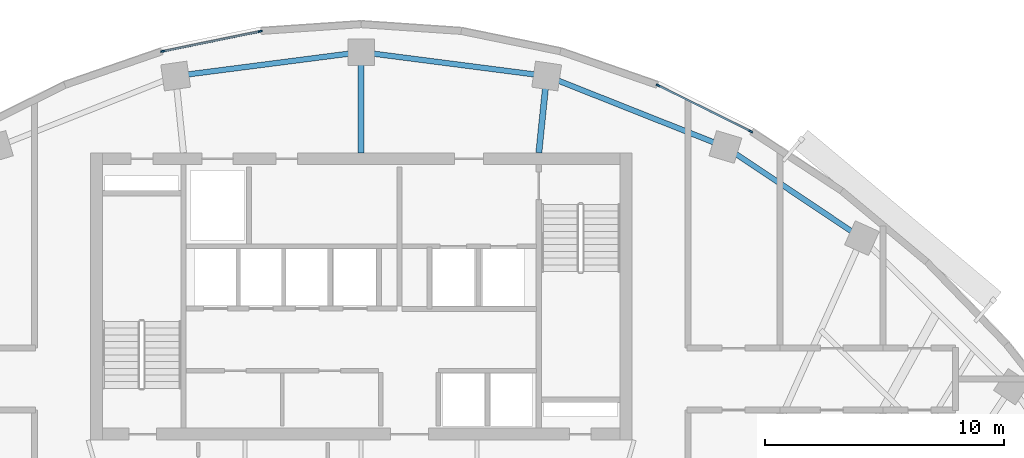
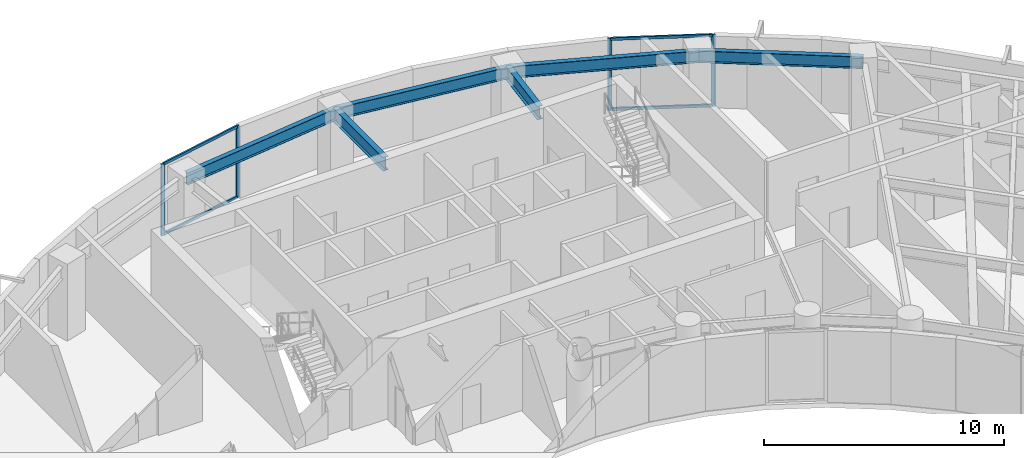
# One storey, part 5 of 13: 8 members, 6 beams, 2 elements without a shape of their own.
"""IFC4 building model written with IfcOpenShell, lengths in metres."""

from ifc_helpers import new_model, si_unit, direction, frame, origin, origin_2d, place, context, subcontext, project, spatial, rectangle, i_section, extrude, source, transform, mapped, material, layer, layer_set, material_profile, profile_set, type_object, element, aggregate, save


model = new_model("IFC4")

# Units and contexts
model_context = context("Model", 3, precision=1e-05, world=origin(), true_north=direction((0.0, 1.0)))
body_context = subcontext(model_context, "Body", "Model", "MODEL_VIEW")
ifc_project = project(units=[si_unit("LENGTHUNIT", "METRE"), si_unit("AREAUNIT", "SQUARE_METRE"), si_unit("VOLUMEUNIT", "CUBIC_METRE"), si_unit("PLANEANGLEUNIT", "RADIAN"), si_unit("MASSUNIT", "GRAM", prefix="KILO")], contexts=[model_context])

# Site, building, storey
site_placement = place(None, origin())
site = spatial("IfcSite", under=ifc_project, at=site_placement, CompositionType="ELEMENT")
building_placement = place(site_placement, origin())
building = spatial("IfcBuilding", under=site, at=building_placement, Name="Breltana Convention Tower", CompositionType="ELEMENT")
storey_placement = place(building_placement, frame((0.0, 0.0, 181.800048828125)))
storey = spatial("IfcBuildingStorey", under=building, at=storey_placement, Name="L44", CompositionType="ELEMENT", Elevation=181.800048828125)

# Beams
ifc_material_1 = material(Name="Steel ASTM A992 Grade 50", Category="steel")
ifc_material_profile_1 = material_profile(ifc_material_1, i_section(OverallWidth=0.25390625, OverallDepth=0.68798828125, WebThickness=0.01318359375, FlangeThickness=0.02099609375, at=origin_2d()), Name="W27X102")
ifc_profile_set_1 = profile_set([ifc_material_profile_1], Name="Steel ASTM A992 Grade 50")
beam_type_1 = type_object("IfcBeamType", Name="BM-RG-W27X102", PredefinedType="USERDEFINED", material=ifc_profile_set_1)
shared_shape_1 = source(origin(), body_context, "Body", "SweptSolid", [
    extrude(i_section(OverallWidth=0.25390625, OverallDepth=0.68798828125, WebThickness=0.01318359375, FlangeThickness=0.02099609375, at=origin_2d()), origin(), (0.0, 0.0, 1.0), 3.220947265625),
])
beam_1_placement = place(storey_placement, frame((55.419921875, 72.199951171875, 3.305908203125), z_axis=(0.101492254858, 0.994836329355, 0.0), x_axis=(-0.994836329355, 0.101492254858, 0.0)))
element("IfcBeam", 1, at=beam_1_placement, inside=storey, type_object=beam_type_1, Name="L44 North Core Radial Girder R07", ObjectType="GIRDER", PredefinedType="USERDEFINED", context=body_context, shape_type="MappedRepresentation", body=[
    mapped(shared_shape_1, transform((0.0, 0.0, 0.0), scale=1.0)),
])
shared_shape_2 = source(origin(), body_context, "Body", "SweptSolid", [
    extrude(i_section(OverallWidth=0.25390625, OverallDepth=0.68798828125, WebThickness=0.01318359375, FlangeThickness=0.02099609375, at=origin_2d()), origin(), (0.0, 0.0, 1.0), 4.2041015625),
])
beam_2_placement = place(storey_placement, frame((48.0, 72.199951171875, 3.305908203125), z_axis=(0.0, 1.0, 0.0), x_axis=(-1.0, 0.0, 0.0)))
element("IfcBeam", 2, at=beam_2_placement, inside=storey, type_object=beam_type_1, Name="L44 North Core Radial Girder R06", ObjectType="GIRDER", PredefinedType="USERDEFINED", context=body_context, shape_type="MappedRepresentation", body=[
    mapped(shared_shape_2, transform((0.0, 0.0, 0.0), scale=1.0)),
])
ifc_material_profile_2 = material_profile(ifc_material_1, i_section(OverallWidth=0.22802734375, OverallDepth=0.60791015625, WebThickness=0.01123046875, FlangeThickness=0.017333984375, at=origin_2d()), Name="W24X76")
ifc_profile_set_2 = profile_set([ifc_material_profile_2], Name="Steel ASTM A992 Grade 50")
beam_type_2 = type_object("IfcBeamType", Name="BM-SP-W24X76", PredefinedType="SPANDREL", material=ifc_profile_set_2)
shared_shape_3 = source(origin(), body_context, "Body", "SweptSolid", [
    extrude(i_section(OverallWidth=0.22802734375, OverallDepth=0.60791015625, WebThickness=0.01123046875, FlangeThickness=0.017333984375, at=origin_2d()), origin(), (0.0, 0.0, 1.0), 8.028564453125),
])
beam_3_placement = place(storey_placement, frame((55.746826171875, 75.404296875, 3.345947265625), z_axis=(0.929459100394, -0.368925169507, 0.0), x_axis=(0.368925169507, 0.929459100394, 0.0)))
element("IfcBeam", 3, at=beam_3_placement, inside=storey, type_object=beam_type_2, Name="L44 Outer Spandrel Beam 07", PredefinedType="SPANDREL", context=body_context, shape_type="MappedRepresentation", body=[
    mapped(shared_shape_3, transform((0.0, 0.0, 0.0), scale=1.0)),
])
shared_shape_4 = source(origin(), body_context, "Body", "SweptSolid", [
    extrude(i_section(OverallWidth=0.22802734375, OverallDepth=0.60791015625, WebThickness=0.01123046875, FlangeThickness=0.017333984375, at=origin_2d()), origin(), (0.0, 0.0, 1.0), 7.81103515625),
])
for number, where, z_axis, x_axis, name in (
    (4, (40.253173828125, 75.404296875, 3.345947265625), (0.991775179127, 0.127992164083, 0.0), (-0.127992164083, 0.991775179127, 0.0), "L44 Outer Spandrel Beam 05"),
    (5, (48.0, 76.404052734375, 3.345947265625), (0.991775179127, -0.127992164083, 0.0), (0.127992164083, 0.991775179127, 0.0), "L44 Outer Spandrel Beam 06"),
):
    element("IfcBeam", number, at=place(storey_placement, frame(where, z_axis=z_axis, x_axis=x_axis)), inside=storey, type_object=beam_type_2, Name=name, PredefinedType="SPANDREL", context=body_context, shape_type="MappedRepresentation", body=[
        mapped(shared_shape_4, transform((0.0, 0.0, 0.0), scale=1.0)),
    ])
shared_shape_5 = source(origin(), body_context, "Body", "SweptSolid", [
    extrude(i_section(OverallWidth=0.22802734375, OverallDepth=0.60791015625, WebThickness=0.01123046875, FlangeThickness=0.017333984375, at=origin_2d()), origin(), (0.0, 0.0, 1.0), 6.856689453125),
])
beam_4_placement = place(storey_placement, frame((63.208984375, 72.4423828125, 3.345947265625), z_axis=(0.83150210718, -0.55552159792, 0.0), x_axis=(0.55552159792, 0.83150210718, 0.0)))
element("IfcBeam", 6, at=beam_4_placement, inside=storey, type_object=beam_type_2, Name="L44 Outer Spandrel Beam 08", PredefinedType="SPANDREL", context=body_context, shape_type="MappedRepresentation", body=[
    mapped(shared_shape_5, transform((0.0, 0.0, 0.0), scale=1.0)),
])

# Curtain wall, members
ifc_material_2 = material(Name="Aluminium Anodised Bronze Frame", Category="aluminium")
ifc_layer = layer(ifc_material_2, 0.2099609375, Name="Aluminium Anodised Bronze Frame")
ifc_layer_set = layer_set([ifc_layer], Name="Aluminium Anodised Bronze Frame")
curtain_wall_type = type_object("IfcCurtainWallType", Name="CW-SYS-3", PredefinedType="NOTDEFINED", material=ifc_layer_set)
curtain_wall_1_placement = place(storey_placement, origin())
curtain_wall_1 = element("IfcCurtainWall", 7, at=curtain_wall_1_placement, inside=storey, type_object=curtain_wall_type, Name="L44 outer double-skin inner glazing 3", PredefinedType="NOTDEFINED")
ifc_material_3 = material(Name="Aluminium Anodised Bronze", Category="aluminium")
ifc_material_profile_3 = material_profile(ifc_material_3, rectangle(XDim=0.070068359375, YDim=0.175048828125, at=origin_2d()), Name="CWM-70X175")
ifc_profile_set_3 = profile_set([ifc_material_profile_3], Name="Aluminium Anodised Bronze")
member_type_1 = type_object("IfcMemberType", Name="CWM-175", PredefinedType="MULLION", material=ifc_profile_set_3)
shared_shape_6 = source(origin(), body_context, "Body", "SweptSolid", [
    extrude(rectangle(XDim=0.070068359375, YDim=0.175048828125, at=origin_2d()), origin(), (0.0, 0.0, 1.0), 3.64990234375),
])
member_1_placement = place(storey_placement, frame((39.71728515625, 76.4384765625, 0.0), z_axis=(0.0, 0.0, 1.0), x_axis=(-0.200876562668, 0.979616560993, 0.0)))
member_1 = element("IfcMember", 8, at=member_1_placement, type_object=member_type_1, Name="CW-03 mullion 1", PredefinedType="MULLION", context=body_context, shape_type="MappedRepresentation", body=[
    mapped(shared_shape_6, transform((0.0, 0.0, 0.0), scale=1.0)),
])
member_2_placement = place(storey_placement, frame((43.7861328125, 77.272705078125, 0.0), z_axis=(0.0, 0.0, 1.0), x_axis=(-0.200876562668, 0.979616560993, 0.0)))
member_2 = element("IfcMember", 9, at=member_2_placement, type_object=member_type_1, Name="CW-03 mullion 2", PredefinedType="MULLION", context=body_context, shape_type="MappedRepresentation", body=[
    mapped(shared_shape_6, transform((0.0, 0.0, 0.0), scale=1.0)),
])

curtain_wall_2_placement = place(storey_placement, origin())
curtain_wall_2 = element("IfcCurtainWall", 10, at=curtain_wall_2_placement, inside=storey, type_object=curtain_wall_type, Name="L44 outer double-skin inner glazing 4", PredefinedType="NOTDEFINED")
member_3_placement = place(storey_placement, frame((60.40185546875, 75.011474609375, 0.0), z_axis=(0.0, 0.0, 1.0), x_axis=(0.444117835682, 0.895968385619, 0.0)))
member_3 = element("IfcMember", 11, at=member_3_placement, type_object=member_type_1, Name="CW-03 mullion 1", PredefinedType="MULLION", context=body_context, shape_type="MappedRepresentation", body=[
    mapped(shared_shape_6, transform((0.0, 0.0, 0.0), scale=1.0)),
])
member_4_placement = place(storey_placement, frame((64.266845703125, 73.095458984375, 0.0), z_axis=(0.0, 0.0, 1.0), x_axis=(0.444117835682, 0.895968385619, 0.0)))
member_4 = element("IfcMember", 12, at=member_4_placement, type_object=member_type_1, Name="CW-03 mullion 2", PredefinedType="MULLION", context=body_context, shape_type="MappedRepresentation", body=[
    mapped(shared_shape_6, transform((0.0, 0.0, 0.0), scale=1.0)),
])
ifc_material_profile_4 = material_profile(ifc_material_3, rectangle(XDim=0.080078125, YDim=0.139892578125, at=origin_2d()), Name="CWT-80X140")
ifc_profile_set_4 = profile_set([ifc_material_profile_4], Name="Aluminium Anodised Bronze")
member_type_2 = type_object("IfcMemberType", Name="CWT-140", PredefinedType="USERDEFINED", material=ifc_profile_set_4)
shared_shape_7 = source(origin(), body_context, "Body", "SweptSolid", [
    extrude(rectangle(XDim=0.080078125, YDim=0.139892578125, at=origin_2d()), origin(), (0.0, 0.0, 1.0), 4.243896484375),
])
member_5_placement = place(storey_placement, frame((60.43310546875, 74.995849609375, 0.0400390625), z_axis=(0.895975011629, -0.444104468043, 0.0), x_axis=(0.444104468043, 0.895975011629, 0.0)))
member_5 = element("IfcMember", 13, at=member_5_placement, type_object=member_type_2, Name="CW-03 transom 1.1", ObjectType="TRANSOM", PredefinedType="USERDEFINED", context=body_context, shape_type="MappedRepresentation", body=[
    mapped(shared_shape_7, transform((0.0, 0.0, 0.0), scale=1.0)),
])
member_6_placement = place(storey_placement, frame((60.43310546875, 74.995849609375, 3.60986328125), z_axis=(0.895975011629, -0.444104468043, 0.0), x_axis=(0.444104468043, 0.895975011629, 0.0)))
member_6 = element("IfcMember", 14, at=member_6_placement, type_object=member_type_2, Name="CW-03 transom 1.2", ObjectType="TRANSOM", PredefinedType="USERDEFINED", context=body_context, shape_type="MappedRepresentation", body=[
    mapped(shared_shape_7, transform((0.0, 0.0, 0.0), scale=1.0)),
])
aggregate(curtain_wall_2, [member_3, member_4, member_5, member_6])

# Member
shared_shape_8 = source(origin(), body_context, "Body", "SweptSolid", [
    extrude(rectangle(XDim=0.080078125, YDim=0.139892578125, at=origin_2d()), origin(), (0.0, 0.0, 1.0), 4.08349609375),
])
member_7_placement = place(storey_placement, frame((39.75146484375, 76.445556640625, 0.0400390625), z_axis=(0.979626533509, 0.20082792347, 0.0), x_axis=(-0.20082792347, 0.979626533509, 0.0)))
member_7 = element("IfcMember", 15, at=member_7_placement, type_object=member_type_2, Name="CW-03 transom 1.1", ObjectType="TRANSOM", PredefinedType="USERDEFINED", context=body_context, shape_type="MappedRepresentation", body=[
    mapped(shared_shape_8, transform((0.0, 0.0, 0.0), scale=1.0)),
])

member_8_placement = place(storey_placement, frame((39.75146484375, 76.445556640625, 3.60986328125), z_axis=(0.979626533509, 0.20082792347, 0.0), x_axis=(-0.20082792347, 0.979626533509, 0.0)))
member_8 = element("IfcMember", 16, at=member_8_placement, type_object=member_type_2, Name="CW-03 transom 1.2", ObjectType="TRANSOM", PredefinedType="USERDEFINED", context=body_context, shape_type="MappedRepresentation", body=[
    mapped(shared_shape_8, transform((0.0, 0.0, 0.0), scale=1.0)),
])

aggregate(curtain_wall_1, [member_1, member_2, member_7, member_8])

save(model, "model.ifc")
